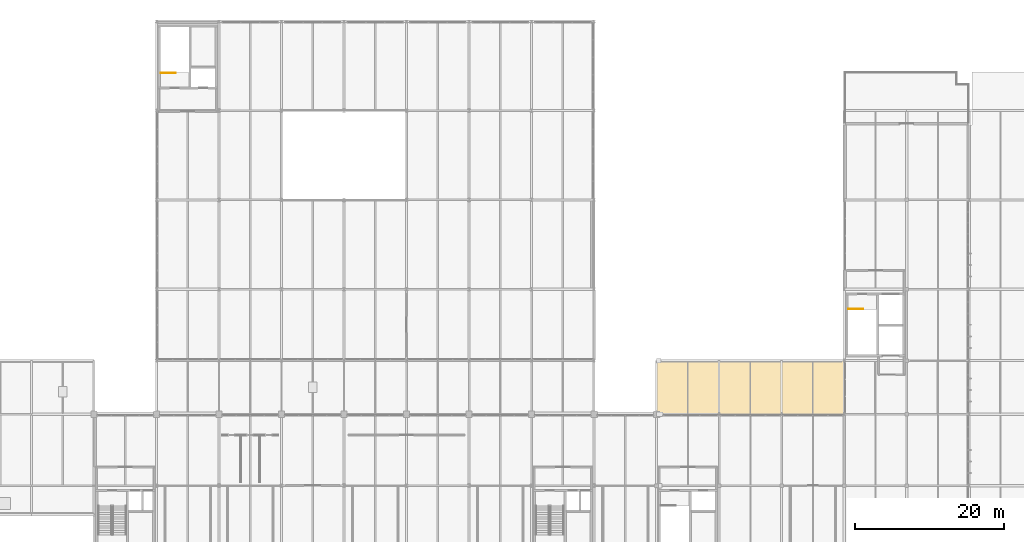
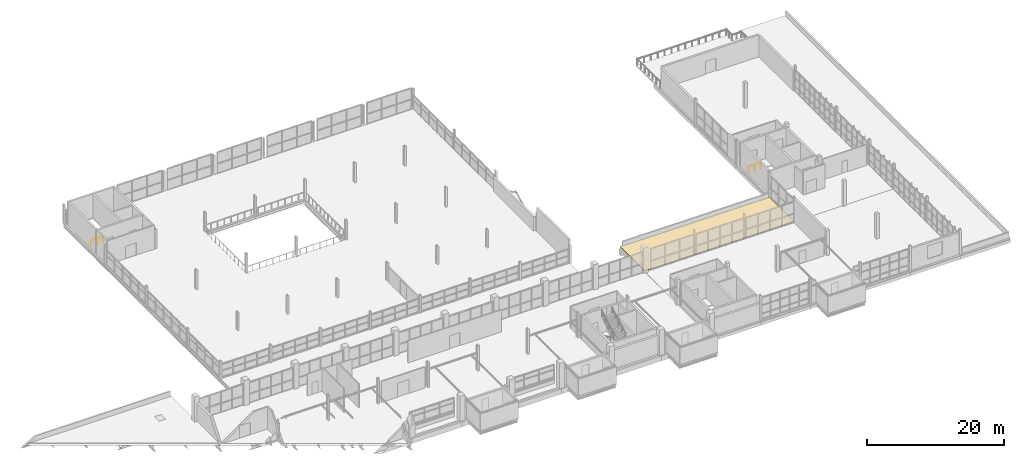
# One storey, part 101 of 103: 2 railings, 1 covering.
"""IFC4 building model written with IfcOpenShell, lengths in metres."""

from ifc_helpers import new_model, si_unit, direction, frame, origin, origin_2d, place, context, subcontext, project, spatial, polyline, circle, outline, extrude, material, layer, layer_set, type_object, element, save


model = new_model("IFC4")

# Units and contexts
model_context = context("Model", 3, precision=1e-05, world=origin(), true_north=direction((0.0, 1.0)))
body_context = subcontext(model_context, "Body", "Model", "MODEL_VIEW")
ifc_project = project(units=[si_unit("LENGTHUNIT", "METRE"), si_unit("AREAUNIT", "SQUARE_METRE"), si_unit("VOLUMEUNIT", "CUBIC_METRE"), si_unit("PLANEANGLEUNIT", "RADIAN"), si_unit("MASSUNIT", "GRAM", prefix="KILO")], contexts=[model_context])

# Site, building, storey
site_placement = place(None, origin())
site = spatial("IfcSite", under=ifc_project, at=site_placement, CompositionType="ELEMENT")
building_placement = place(site_placement, origin())
building = spatial("IfcBuilding", under=site, at=building_placement, Name="Veltarok Museum of Natural Sciences", CompositionType="ELEMENT")
storey_placement = place(building_placement, frame((0.0, 0.0, 21.89990234375)))
storey = spatial("IfcBuildingStorey", under=building, at=storey_placement, Name="L04", CompositionType="ELEMENT", Elevation=21.89990234375)

# Covering
ifc_material_1 = material(Name="EPDM waterproofing membrane")
ifc_layer = layer(ifc_material_1, 0.06005859375)
ifc_layer_set = layer_set([ifc_layer], Name="EPDM waterproofing membrane")
covering_type = type_object("IfcCoveringType", Name="EPDM Waterproofing and Acoustic Roof Membrane 60", PredefinedType="ROOFING", material=ifc_layer_set)
covering_placement = place(storey_placement, origin())
element("IfcCovering", 1, at=covering_placement, inside=storey, type_object=covering_type, Name="Roof Waterproofing RF-V5C", PredefinedType="ROOFING", context=body_context, shape_type="SweptSolid", body=[
    extrude(outline(polyline([(107.22509765625, 19.219970703125), (107.22509765625, 26.39990234375), (132.3798828125, 26.39990234375), (132.3798828125, 19.219970703125), (107.22509765625, 19.219970703125)])), origin(), (0.0, 0.0, 1.0), 0.06005859375),
])

# Railings
ifc_material_2 = material(Name="Steel S355J2", Category="steel")
railing_type = type_object("IfcRailingType", Name="Interior Atrium and Stairwell Guardrail 1100", PredefinedType="GUARDRAIL", material=ifc_material_2)
for number, where, name in (
    (2, (40.570068359375, 65.050048828125, 0.0), "Top Stairwell Guard ST-03 L04"),
    (3, (132.969970703125, 33.35009765625, 0.0), "Top Stairwell Guard ST-05 L04"),
):
    element("IfcRailing", number, at=place(storey_placement, frame(where)), inside=storey, type_object=railing_type, Name=name, PredefinedType="GUARDRAIL", context=body_context, shape_type="SweptSolid", body=[
        extrude(circle(Radius=0.02392578125, at=origin_2d()), frame((0.0, 0.0, 1.076171875), z_axis=(1.0, 0.0, 0.0), x_axis=(0.0, 1.0, 0.0)), (0.0, 0.0, 1.0), 2.0),
        extrude(circle(Radius=0.02099609375, at=origin_2d()), origin(), (0.0, 0.0, 1.0), 1.052001953125),
        extrude(circle(Radius=0.02099609375, at=origin_2d()), frame((1.0, 0.0, 0.0)), (0.0, 0.0, 1.0), 1.052001953125),
        extrude(circle(Radius=0.02099609375, at=origin_2d()), frame((2.0, 0.0, 0.0)), (0.0, 0.0, 1.0), 1.052001953125),
    ])

save(model, "model.ifc")
